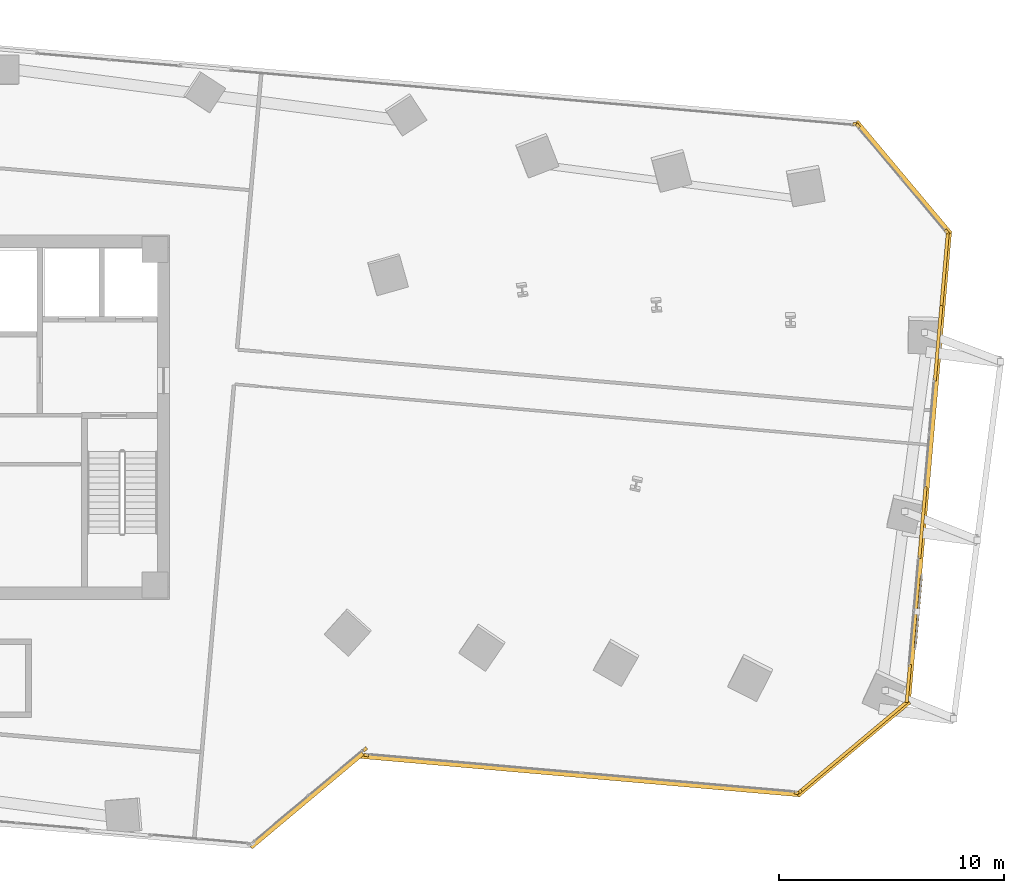
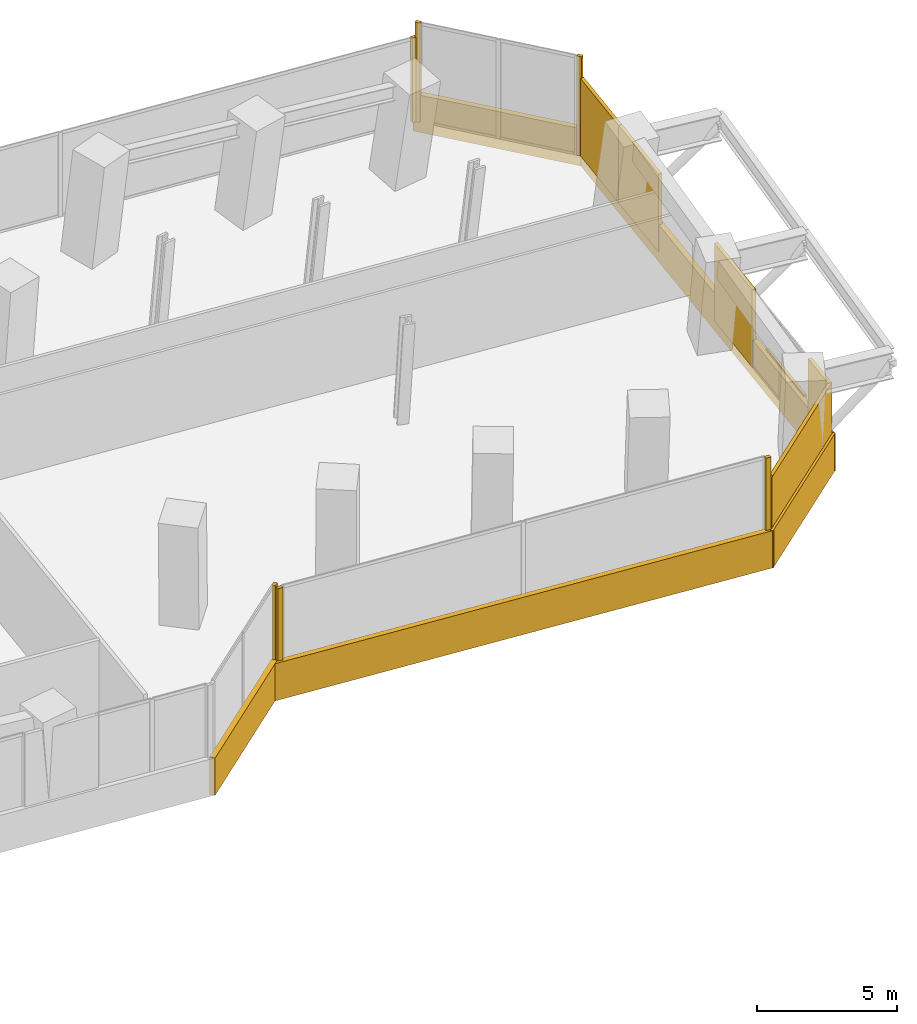
# One storey, part 22 of 23: 17 coverings, 1 shading device.
"""IFC4 building model written with IfcOpenShell, lengths in metres."""

import ifcopenshell
import ifcopenshell.guid

model = None  # the IFC model being written
_history = None  # IfcOwnerHistory: only IFC2X3 demands one
_inside = {}  # id of a spatial element -> (the spatial element, [elements in it])
_under = {}  # id of a project, library or spatial element -> (it, [spatial elements below it])
_declared = {}  # id of a project -> (the project, [libraries it declares])
_typed = {}  # id of a type object -> (the type object, [elements of that type])
_made_of = {}  # id of a material, layer set ... -> (it, [elements and type objects made of it])


def new_model(schema):
    """Start an empty IFC model of exactly this schema.

    Asked for "IFC4X3", IfcOpenShell would pick the latest addendum, in which some entities
    have other attributes; the version numbers below select the first issue.
    IFC2X3 requires an IfcOwnerHistory on every rooted entity: one is made here for all.
    """
    global model, _history
    if schema == "IFC4X3":
        model = ifcopenshell.file(schema_version=(4, 3, 0, 0))
    else:
        model = ifcopenshell.file(schema=schema)
    _inside.clear()
    _under.clear()
    _declared.clear()
    _typed.clear()
    _made_of.clear()
    _history = None
    if model.schema == "IFC2X3":
        org = make("IfcOrganization", Name="unknown")
        user = make(
            "IfcPersonAndOrganization",
            ThePerson=make("IfcPerson", FamilyName="unknown"),
            TheOrganization=org,
        )
        app = make(
            "IfcApplication",
            ApplicationDeveloper=org,
            Version="unknown",
            ApplicationFullName="unknown",
            ApplicationIdentifier="unknown",
        )
        _history = make(
            "IfcOwnerHistory",
            OwningUser=user,
            OwningApplication=app,
            ChangeAction="ADDED",
            CreationDate=0,
        )
    return model


def make(cls, **values):
    """One entity of the class cls with the attributes given. An attribute that is None is left unset."""
    return model.create_entity(
        cls, **{name: value for name, value in values.items() if value is not None}
    )


def rooted(cls, **values):
    """An entity with a GlobalId (a new one), such as an element, a storey or a relation."""
    return make(cls, GlobalId=ifcopenshell.guid.new(), OwnerHistory=_history, **values)


def si_unit(unit_type, name, prefix=None):
    """IfcSIUnit, for example si_unit("LENGTHUNIT", "METRE", prefix="MILLI")."""
    return make("IfcSIUnit", UnitType=unit_type, Prefix=prefix, Name=name)


def assignment(units):
    """IfcUnitAssignment: the units of a project."""
    return None if units is None else make("IfcUnitAssignment", Units=units)


def point(xyz):
    """IfcCartesianPoint."""
    return None if xyz is None else make("IfcCartesianPoint", Coordinates=xyz)


def direction(xyz):
    """IfcDirection."""
    return None if xyz is None else make("IfcDirection", DirectionRatios=xyz)


def frame(location, z_axis=None, x_axis=None):
    """IfcAxis2Placement3D, a coordinate frame: its origin and axes. An axis left out is left unset."""
    return make(
        "IfcAxis2Placement3D",
        Location=point(location),
        Axis=direction(z_axis),
        RefDirection=direction(x_axis),
    )


def frame_2d(location, x_axis=None):
    """IfcAxis2Placement2D, a coordinate frame in the plane: its origin and x axis."""
    return make(
        "IfcAxis2Placement2D", Location=point(location), RefDirection=direction(x_axis)
    )


def origin():
    """The frame at (0, 0, 0) with its axes left unset."""
    return frame((0.0, 0.0, 0.0))


def origin_2d():
    """The frame at (0, 0) in the plane with its x axis left unset."""
    return frame_2d((0.0, 0.0))


def place(relative_to, where):
    """IfcLocalPlacement: puts the frame where relative to a parent placement (None: the world)."""
    return make(
        "IfcLocalPlacement", PlacementRelTo=relative_to, RelativePlacement=where
    )


def context(
    kind, dimensions, precision=None, world=None, true_north=None, identifier=None
):
    """IfcGeometricRepresentationContext, for example the 3D "Model" context."""
    return make(
        "IfcGeometricRepresentationContext",
        ContextIdentifier=identifier,
        ContextType=kind,
        CoordinateSpaceDimension=dimensions,
        Precision=precision,
        WorldCoordinateSystem=world,
        TrueNorth=true_north,
    )


def subcontext(parent, identifier, kind, view, scale=None):
    """IfcGeometricRepresentationSubContext, for example "Body" below "Model"."""
    return make(
        "IfcGeometricRepresentationSubContext",
        ContextIdentifier=identifier,
        ContextType=kind,
        ParentContext=parent,
        TargetScale=scale,
        TargetView=view,
    )


def project(units=None, contexts=None):
    """IfcProject with its units and contexts."""
    return rooted(
        "IfcProject",
        Name="project",
        RepresentationContexts=contexts,
        UnitsInContext=assignment(units),
    )


def spatial(cls, under=None, at=None, **own):
    """A site, building, storey or space (cls), placed at a placement, below another one or the project."""
    s = rooted(cls, ObjectPlacement=at, **own)
    if under is not None:
        _under.setdefault(under.id(), (under, []))[1].append(s)
    return s


def profile(cls, at=None, kind="AREA", **sizes):
    """A parametric profile (cls). Its sizes go by their IFC names, for example OverallWidth=200.0."""
    return make(cls, ProfileType=kind, Position=at, **sizes)


def rectangle(**sizes):
    """IfcRectangleProfileDef."""
    return profile("IfcRectangleProfileDef", **sizes)


def extrude(swept, where, along, depth):
    """IfcExtrudedAreaSolid: the profile swept, set in the frame where, extruded along a direction by depth."""
    return make(
        "IfcExtrudedAreaSolid",
        SweptArea=swept,
        Position=where,
        ExtrudedDirection=direction(along),
        Depth=depth,
    )


def shape(context_of_items, identifier, shape_type, items):
    """IfcShapeRepresentation: the items that make up one representation, for example the "Body"."""
    return make(
        "IfcShapeRepresentation",
        ContextOfItems=context_of_items,
        RepresentationIdentifier=identifier,
        RepresentationType=shape_type,
        Items=items,
    )


def source(mapping_origin, context_of_items, identifier, shape_type, items):
    """IfcRepresentationMap: a shape defined once, which mapped items show again and again."""
    return make(
        "IfcRepresentationMap",
        MappingOrigin=mapping_origin,
        MappedRepresentation=shape(context_of_items, identifier, shape_type, items),
    )


def transform(
    local_origin,
    x_axis=None,
    y_axis=None,
    z_axis=None,
    scale=None,
    scale2=None,
    scale3=None,
    uniform=True,
):
    """IfcCartesianTransformationOperator3D, or its non-uniform kind. x_axis, y_axis, z_axis: its Axis1, 2, 3."""
    if uniform:
        return make(
            "IfcCartesianTransformationOperator3D",
            Axis1=direction(x_axis),
            Axis2=direction(y_axis),
            LocalOrigin=point(local_origin),
            Scale=scale,
            Axis3=direction(z_axis),
        )
    return make(
        "IfcCartesianTransformationOperator3DnonUniform",
        Axis1=direction(x_axis),
        Axis2=direction(y_axis),
        LocalOrigin=point(local_origin),
        Scale=scale,
        Axis3=direction(z_axis),
        Scale2=scale2,
        Scale3=scale3,
    )


def mapped(mapping_source, mapping_target):
    """IfcMappedItem: shows the shape of a source again, moved by a transform."""
    return make(
        "IfcMappedItem", MappingSource=mapping_source, MappingTarget=mapping_target
    )


def material(Name=None, Category=None):
    """IfcMaterial."""
    return make("IfcMaterial", Name=Name, Category=Category)


def layer(
    of_material, thickness, ventilated=None, Name=None, Category=None, Priority=None
):
    """IfcMaterialLayer: one layer of a wall or slab, of a material (None: an air gap)."""
    return make(
        "IfcMaterialLayer",
        Material=of_material,
        LayerThickness=thickness,
        IsVentilated=ventilated,
        Name=Name,
        Category=Category,
        Priority=Priority,
    )


def layer_set(layers, Name=None):
    """IfcMaterialLayerSet."""
    return make("IfcMaterialLayerSet", MaterialLayers=layers, LayerSetName=Name)


def made_of(thing, what):
    """Note that an element or type object is made of a material, layer set ...; save() writes the relation."""
    if what is not None:
        _made_of.setdefault(what.id(), (what, []))[1].append(thing)
    return thing


def type_object(cls, material=None, **own):
    """A type object (cls), such as IfcWallType, which elements share."""
    return made_of(rooted(cls, **own), material)


def element(
    cls,
    number,
    at=None,
    inside=None,
    cuts=None,
    type_object=None,
    material=None,
    context=None,
    identifier="Body",
    shape_type=None,
    held_by="IfcProductDefinitionShape",
    body=None,
    shapes=None,
    **own,
):
    """One element of the class cls, such as IfcWall. Its Tag is "e" and its number.

    at: its placement. inside: the storey or other place that contains it. cuts: it is an
    opening in that element (IfcRelVoidsElement). A single representation is given by context,
    identifier, shape_type and body (its items); several are given by shapes. held_by: the class
    of the entity that holds the representations. save() writes the other relations.
    """
    e = rooted(cls, Tag="e%d" % number, ObjectPlacement=at, **own)
    if body is not None:
        shapes = [shape(context, identifier, shape_type, body)]
    if shapes is not None:
        e.Representation = make(held_by, Representations=shapes)
    if inside is not None:
        _inside.setdefault(inside.id(), (inside, []))[1].append(e)
    if cuts is not None:
        rooted(
            "IfcRelVoidsElement", RelatingBuildingElement=cuts, RelatedOpeningElement=e
        )
    if type_object is not None:
        _typed.setdefault(type_object.id(), (type_object, []))[1].append(e)
    return made_of(e, material)


def aggregate(whole, parts):
    """IfcRelAggregates: a whole, such as a stair, and the parts it consists of."""
    return rooted("IfcRelAggregates", RelatingObject=whole, RelatedObjects=parts)


def save(model, path):
    """Write the relations noted so far, then the file.

    IfcRelAggregates (storeys below a building ...), IfcRelContainedInSpatialStructure (elements
    in a storey), IfcRelDefinesByType, IfcRelAssociatesMaterial and IfcRelDeclares: one each for
    every whole, place, type object, material and project.
    """
    for whole, parts in _under.values():
        aggregate(whole, parts)
    for where, things in _inside.values():
        rooted(
            "IfcRelContainedInSpatialStructure",
            RelatedElements=things,
            RelatingStructure=where,
        )
    for kind, things in _typed.values():
        rooted("IfcRelDefinesByType", RelatedObjects=things, RelatingType=kind)
    for what, things in _made_of.values():
        rooted("IfcRelAssociatesMaterial", RelatedObjects=things, RelatingMaterial=what)
    for by, libraries in _declared.values():
        rooted("IfcRelDeclares", RelatingContext=by, RelatedDefinitions=libraries)
    model.write(path)


model = new_model("IFC4")

# Units and contexts
model_context = context("Model", 3, precision=1e-05, world=origin(), true_north=direction((0.0, 1.0)))
body_context = subcontext(model_context, "Body", "Model", "MODEL_VIEW")
ifc_project = project(units=[si_unit("LENGTHUNIT", "METRE"), si_unit("AREAUNIT", "SQUARE_METRE"), si_unit("VOLUMEUNIT", "CUBIC_METRE"), si_unit("PLANEANGLEUNIT", "RADIAN"), si_unit("MASSUNIT", "GRAM", prefix="KILO")], contexts=[model_context])

# Site, building, storey
site_placement = place(None, origin())
site = spatial("IfcSite", under=ifc_project, at=site_placement, CompositionType="ELEMENT")
building_placement = place(site_placement, origin())
building = spatial("IfcBuilding", under=site, at=building_placement, Name="Torre Montelarca", CompositionType="ELEMENT")
storey_placement = place(building_placement, frame((0.0, 0.0, 56.800048828125)))
storey = spatial("IfcBuildingStorey", under=building, at=storey_placement, Name="L12", CompositionType="ELEMENT", Elevation=56.800048828125)

# Coverings
ifc_material_1 = material(Name="Bush-hammered warm white precast concrete C45/55", Category="concrete")
ifc_layer_1 = layer(ifc_material_1, 0.139892578125, Name="Bush-hammered warm white precast concrete C45/55", Category="concrete")
ifc_layer_set_1 = layer_set([ifc_layer_1], Name="Bush-hammered warm white precast concrete C45/55")
covering_type = type_object("IfcCoveringType", Name="COV-TRAY-CLAD", PredefinedType="CLADDING", material=ifc_layer_set_1)
shared_shape_1 = source(origin(), body_context, "Body", "SweptSolid", [
    extrude(rectangle(XDim=0.199951171875, YDim=0.139892578125, at=origin_2d()), origin(), (0.0, 0.0, 1.0), 4.320068359375),
])
for number, where, z_axis, x_axis, name in (
    (1, (35.78271484375, 17.240966796875, 0.0), (0.0, 0.0, 1.0), (0.766048930604, 0.642782261672, 0.0), "L12 Architectural Column Pier Cladding E02-2"),
    (2, (35.837890625, 16.9833984375, 0.0), (0.0, 0.0, 1.0), (0.996194241732, -0.08716095881, 0.0), "L12 Architectural Column Pier Cladding E04-1"),
    (3, (54.956787109375, 15.310546875, 0.0), (0.0, 0.0, 1.0), (0.996194241732, -0.08716095881, 0.0), "L12 Architectural Column Pier Cladding E04-2"),
    (4, (61.62646484375, 40.25244140625, 0.0), (0.0, 0.0, 1.0), (-0.642794294661, 0.76603883371, 0.0), "L12 Architectural Column Pier Cladding E07-1"),
    (5, (57.6845703125, 44.949951171875, 0.0), (0.0, 0.0, 1.0), (-0.642794294661, 0.76603883371, 0.0), "L12 Architectural Column Pier Cladding E07-2"),
):
    element("IfcCovering", number, at=place(storey_placement, frame(where, z_axis=z_axis, x_axis=x_axis)), inside=storey, type_object=covering_type, Name=name, PredefinedType="CLADDING", context=body_context, shape_type="MappedRepresentation", body=[
        mapped(shared_shape_1, transform((0.0, 0.0, 0.0), scale=1.0)),
    ])
shared_shape_2 = source(origin(), body_context, "Body", "SweptSolid", [
    extrude(rectangle(XDim=6.48388671875, YDim=0.219970703125, at=origin_2d()), origin(), (0.0, 0.0, 1.0), 1.6201171875),
])
for number, where, z_axis, x_axis, name in (
    (6, (33.190673828125, 14.987548828125, -0.4501953125), (0.0, 0.0, 1.0), (0.766052296194, 0.64277825064, 0.0), "L12 Architectural White Spandrel Tray Band TRYBOT-02"),
    (7, (57.482666015625, 17.279052734375, -0.4501953125), (0.0, 0.0, 1.0), (0.766044443119, 0.642787609687, 0.0), "L12 Architectural White Spandrel Tray Band TRYBOT-05"),
    (8, (59.701416015625, 42.639892578125, -0.4501953125), (0.0, 0.0, 1.0), (-0.642787609687, 0.766044443119, 0.0), "L12 Architectural White Spandrel Tray Band TRYBOT-07"),
):
    element("IfcCovering", number, at=place(storey_placement, frame(where, z_axis=z_axis, x_axis=x_axis)), inside=storey, type_object=covering_type, Name=name, PredefinedType="CLADDING", context=body_context, shape_type="MappedRepresentation", body=[
        mapped(shared_shape_2, transform((0.0, 0.0, 0.0), scale=1.0)),
    ])
shared_shape_3 = source(origin(), body_context, "Body", "SweptSolid", [
    extrude(rectangle(XDim=0.199951171875, YDim=0.139892578125, at=origin_2d()), origin(), (0.0, 0.0, 1.0), 3.375),
])
covering_1_placement = place(storey_placement, frame((55.09521484375, 15.354248046875, 0.0), z_axis=(0.0, 0.0, 1.0), x_axis=(0.76603883371, 0.642794294661, 0.0)))
element("IfcCovering", 9, at=covering_1_placement, inside=storey, type_object=covering_type, Name="L12 Architectural Column Pier Cladding E05-1", PredefinedType="CLADDING", context=body_context, shape_type="MappedRepresentation", body=[
    mapped(shared_shape_3, transform((0.0, 0.0, 0.0), scale=1.0)),
])
shared_shape_4 = source(origin(), body_context, "Body", "SweptSolid", [
    extrude(rectangle(XDim=0.199951171875, YDim=0.139892578125, at=origin_2d()), origin(), (0.0, 0.0, 1.0), 3.675048828125),
])
covering_2_placement = place(storey_placement, frame((57.555908203125, 45.01708984375, 0.0), z_axis=(0.0, 0.0, 1.0), x_axis=(-0.996194545975, 0.087157481435, 0.0)))
element("IfcCovering", 10, at=covering_2_placement, inside=storey, type_object=covering_type, Name="L12 Architectural Column Pier Cladding E08-1", PredefinedType="CLADDING", context=body_context, shape_type="MappedRepresentation", body=[
    mapped(shared_shape_4, transform((0.0, 0.0, 0.0), scale=1.0)),
])
shared_shape_5 = source(origin(), body_context, "Body", "SweptSolid", [
    extrude(rectangle(XDim=19.6201171875, YDim=0.219970703125, at=origin_2d()), origin(), (0.0, 0.0, 1.0), 1.6201171875),
])
covering_3_placement = place(storey_placement, frame((45.35400390625, 16.09033203125, -0.4501953125), z_axis=(0.0, 0.0, 1.0), x_axis=(0.996194850206, -0.08715400406, 0.0)))
element("IfcCovering", 11, at=covering_3_placement, inside=storey, type_object=covering_type, Name="L12 Architectural White Spandrel Tray Band TRYBOT-04", PredefinedType="CLADDING", context=body_context, shape_type="MappedRepresentation", body=[
    mapped(shared_shape_5, transform((0.0, 0.0, 0.0), scale=1.0)),
])
shared_shape_6 = source(origin(), body_context, "Body", "SweptSolid", [
    extrude(rectangle(XDim=21.119873046875, YDim=0.219970703125, at=origin_2d()), origin(), (0.0, 0.0, 1.0), 1.6201171875),
])
covering_4_placement = place(storey_placement, frame((60.82470703125, 29.76416015625, -0.4501953125), z_axis=(0.0, 0.0, 1.0), x_axis=(0.087157481435, 0.996194545975, 0.0)))
element("IfcCovering", 12, at=covering_4_placement, inside=storey, type_object=covering_type, Name="L12 Architectural White Spandrel Tray Band TRYBOT-06", PredefinedType="CLADDING", context=body_context, shape_type="MappedRepresentation", body=[
    mapped(shared_shape_6, transform((0.0, 0.0, 0.0), scale=1.0)),
])
shared_shape_7 = source(origin(), body_context, "Body", "SweptSolid", [
    extrude(rectangle(XDim=6.232421875, YDim=0.139892578125, at=origin_2d()), origin(), (0.0, 0.0, 1.0), 3.375),
])
covering_5_placement = place(storey_placement, frame((57.482421875, 17.357177734375, 0.0), z_axis=(0.0, 0.0, 1.0), x_axis=(0.76603883371, 0.642794294661, 0.0)))
element("IfcCovering", 13, at=covering_5_placement, inside=storey, type_object=covering_type, Name="L12 Architectural Column Pier Cladding E05-2", PredefinedType="CLADDING", context=body_context, shape_type="MappedRepresentation", body=[
    mapped(shared_shape_7, transform((0.0, 0.0, 0.0), scale=1.0)),
])
shared_shape_8 = source(origin(), body_context, "Body", "SweptSolid", [
    extrude(rectangle(XDim=1.701171875, YDim=0.139892578125, at=origin_2d()), origin(), (0.0, 0.0, 1.0), 3.375),
])
covering_6_placement = place(storey_placement, frame((59.92529296875, 20.172607421875, 0.0), z_axis=(0.0, 0.0, 1.0), x_axis=(0.08716095881, 0.996194241732, 0.0)))
element("IfcCovering", 14, at=covering_6_placement, inside=storey, type_object=covering_type, Name="L12 Architectural Column Pier Cladding E06-1", PredefinedType="CLADDING", context=body_context, shape_type="MappedRepresentation", body=[
    mapped(shared_shape_8, transform((0.0, 0.0, 0.0), scale=1.0)),
])
shared_shape_9 = source(origin(), body_context, "Body", "SweptSolid", [
    extrude(rectangle(XDim=3.199462890625, YDim=0.139892578125, at=origin_2d()), origin(), (0.0, 0.0, 1.0), 3.375),
])
covering_7_placement = place(storey_placement, frame((60.550537109375, 27.319091796875, 0.0), z_axis=(0.0, 0.0, 1.0), x_axis=(0.08716095881, 0.996194241732, 0.0)))
element("IfcCovering", 15, at=covering_7_placement, inside=storey, type_object=covering_type, Name="L12 Architectural Column Pier Cladding E06-2", PredefinedType="CLADDING", context=body_context, shape_type="MappedRepresentation", body=[
    mapped(shared_shape_9, transform((0.0, 0.0, 0.0), scale=1.0)),
])
shared_shape_10 = source(origin(), body_context, "Body", "SweptSolid", [
    extrude(rectangle(XDim=3.355224609375, YDim=0.139892578125, at=origin_2d()), origin(), (0.0, 0.0, 1.0), 3.375),
])
covering_8_placement = place(storey_placement, frame((61.24755859375, 35.283935546875, 0.0), z_axis=(0.0, 0.0, 1.0), x_axis=(0.08716095881, 0.996194241732, 0.0)))
element("IfcCovering", 16, at=covering_8_placement, inside=storey, type_object=covering_type, Name="L12 Architectural Column Pier Cladding E06-3", PredefinedType="CLADDING", context=body_context, shape_type="MappedRepresentation", body=[
    mapped(shared_shape_10, transform((0.0, 0.0, 0.0), scale=1.0)),
])
shared_shape_11 = source(origin(), body_context, "Body", "SweptSolid", [
    extrude(rectangle(XDim=3.370849609375, YDim=0.139892578125, at=origin_2d()), origin(), (0.0, 0.0, 1.0), 3.375),
])
covering_9_placement = place(storey_placement, frame((61.531982421875, 38.534423828125, 0.0), z_axis=(0.0, 0.0, 1.0), x_axis=(0.08716095881, 0.996194241732, 0.0)))
element("IfcCovering", 17, at=covering_9_placement, inside=storey, type_object=covering_type, Name="L12 Architectural Column Pier Cladding E06-4", PredefinedType="CLADDING", context=body_context, shape_type="MappedRepresentation", body=[
    mapped(shared_shape_11, transform((0.0, 0.0, 0.0), scale=1.0)),
])

# Shading device
ifc_material_2 = material(Name="Architectural perforated terracotta ceramic", Category="masonry")
ifc_layer_2 = layer(ifc_material_2, 0.080078125, Name="Architectural perforated terracotta ceramic", Category="masonry")
ifc_layer_set_2 = layer_set([ifc_layer_2], Name="Architectural perforated terracotta ceramic")
shading_device_type = type_object("IfcShadingDeviceType", Name="SHD-JALOUSIE-1", PredefinedType="JALOUSIE", material=ifc_layer_set_2)
shared_shape_12 = source(origin(), body_context, "Body", "SweptSolid", [
    extrude(rectangle(XDim=3.199951171875, YDim=0.10009765625, at=origin_2d()), origin(), (0.0, 0.0, 1.0), 1.25),
])
shading_device_placement = place(storey_placement, frame((60.374755859375, 23.35791015625, -0.005126953125), z_axis=(0.0, 0.0, 1.0), x_axis=(0.087157481435, 0.996194545975, 0.0)))
element("IfcShadingDevice", 18, at=shading_device_placement, inside=storey, type_object=shading_device_type, Name="L12 Facade Solar Shading Device E6", PredefinedType="JALOUSIE", context=body_context, shape_type="MappedRepresentation", body=[
    mapped(shared_shape_12, transform((0.0, 0.0, 0.0), scale=1.0)),
])

save(model, "model.ifc")
